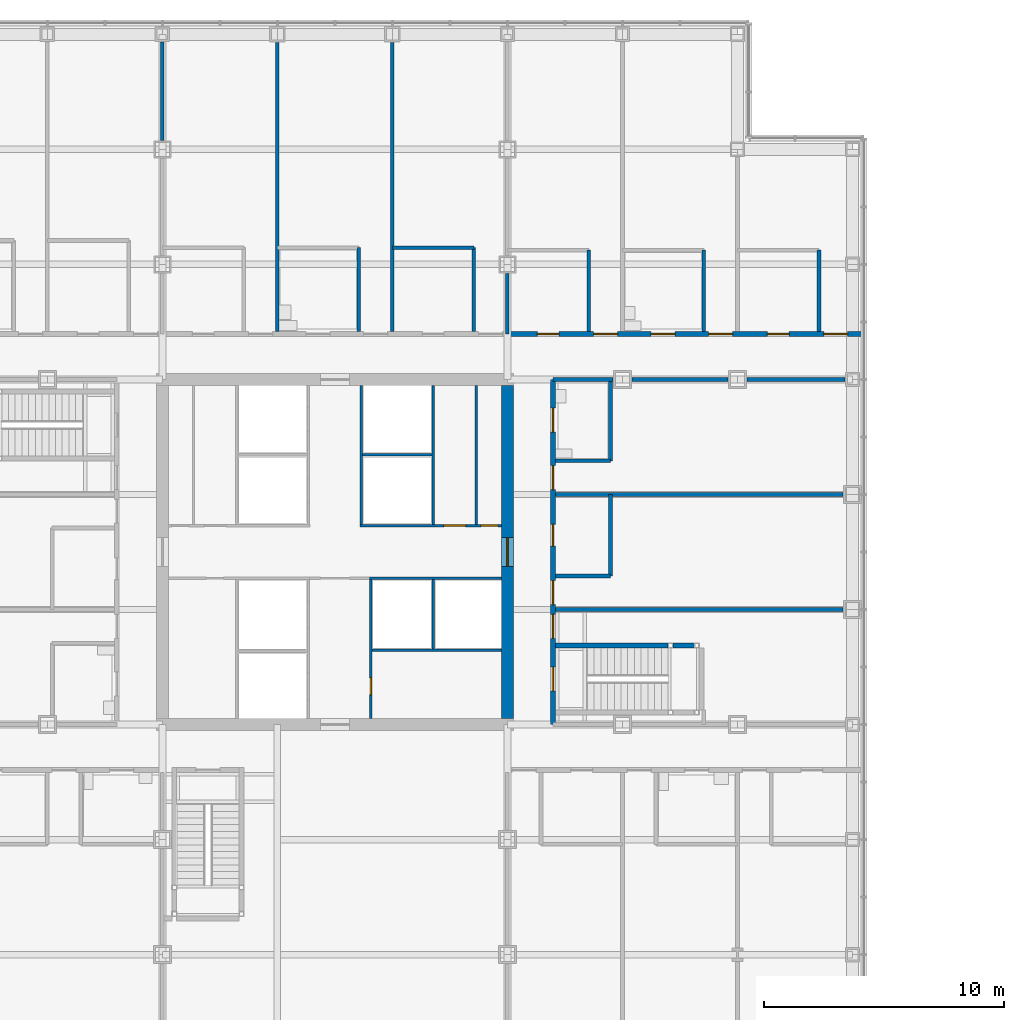
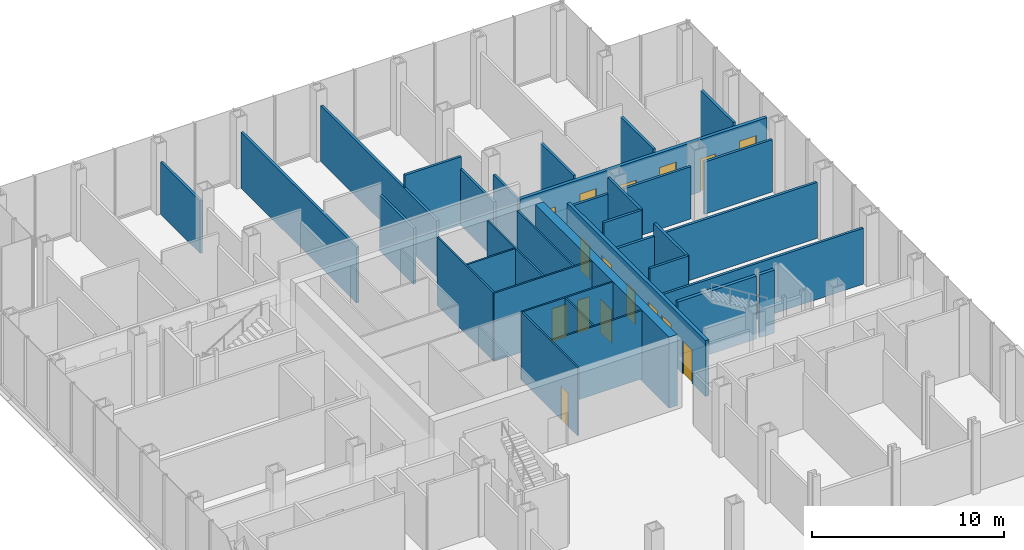
# One storey, part 23 of 26: 33 walls, 16 doors, 16 openings.
"""IFC4 building model written with IfcOpenShell, lengths in metres."""

from ifc_helpers import new_model, si_unit, direction, frame, frame_2d, origin, place, context, subcontext, project, spatial, rectangle, extrude, material, layer, layer_set, type_object, element, fill, save


model = new_model("IFC4")

# Units and contexts
model_context = context("Model", 3, precision=1e-05, world=origin(), true_north=direction((0.0, 1.0)))
body_context = subcontext(model_context, "Body", "Model", "MODEL_VIEW")
ifc_project = project(units=[si_unit("LENGTHUNIT", "METRE"), si_unit("AREAUNIT", "SQUARE_METRE"), si_unit("VOLUMEUNIT", "CUBIC_METRE"), si_unit("PLANEANGLEUNIT", "RADIAN"), si_unit("MASSUNIT", "GRAM", prefix="KILO")], contexts=[model_context])

# Site, building, storey
site_placement = place(None, origin())
site = spatial("IfcSite", under=ifc_project, at=site_placement, CompositionType="ELEMENT")
building_placement = place(site_placement, origin())
building = spatial("IfcBuilding", under=site, at=building_placement, Name="Kvirike Care Tower", CompositionType="ELEMENT")
storey_placement = place(building_placement, frame((0.0, 0.0, 18.0)))
storey = spatial("IfcBuildingStorey", under=building, at=storey_placement, Name="L04", CompositionType="ELEMENT", Elevation=18.0)

# Walls
ifc_material_1 = material(Name="Plasterboard partition", Category="gypsum")
ifc_layer_1 = layer(ifc_material_1, 0.14990234375)
ifc_layer_set_1 = layer_set([ifc_layer_1], Name="CLINIC PARTITION 150")
wall_type_1 = type_object("IfcWallType", Name="CLINIC PARTITION 150", PredefinedType="PARTITIONING", material=ifc_layer_set_1)
wall_1_placement = place(storey_placement, frame((27.39990234375, 48.699951171875, 0.0), z_axis=(0.0, 0.0, 1.0), x_axis=(0.0, -1.0, 0.0)))
element("IfcWall", 1, at=wall_1_placement, inside=storey, type_object=wall_type_1, Name="Clinic Partition 150 L04", PredefinedType="PARTITIONING", context=body_context, shape_type="SweptSolid", body=[
    extrude(rectangle(XDim=3.5, YDim=0.14990234375, at=frame_2d((1.75, 0.0))), origin(), (0.0, 0.0, 1.0), 3.550048828125),
])
wall_2_placement = place(storey_placement, frame((27.39990234375, 48.699951171875, 0.0), z_axis=(0.0, 0.0, 1.0), x_axis=(-1.0, 0.0, 0.0)))
element("IfcWall", 2, at=wall_2_placement, inside=storey, type_object=wall_type_1, Name="Clinic Partition 150 L04", PredefinedType="PARTITIONING", context=body_context, shape_type="SweptSolid", body=[
    extrude(rectangle(XDim=3.39990234375, YDim=0.14990234375, at=frame_2d((1.699951171875, 0.0))), origin(), (0.0, 0.0, 1.0), 4.330078125),
])
wall_3_placement = place(storey_placement, frame((22.60009765625, 48.699951171875, 0.0), z_axis=(0.0, 0.0, 1.0), x_axis=(0.0, -1.0, 0.0)))
element("IfcWall", 3, at=wall_3_placement, inside=storey, type_object=wall_type_1, Name="Clinic Partition 150 L04", PredefinedType="PARTITIONING", context=body_context, shape_type="SweptSolid", body=[
    extrude(rectangle(XDim=3.5, YDim=0.14990234375, at=frame_2d((1.75, 0.0))), origin(), (0.0, 0.0, 1.0), 3.550048828125),
])
for number, where, z_axis, x_axis, name in (
    (4, (24.0, 57.2548828125, 0.0), (0.0, 0.0, 1.0), (0.0, -1.0, 0.0), "Clinic Partition 150 L04"),
    (5, (19.199951171875, 57.2548828125, 0.0), (0.0, 0.0, 1.0), (0.0, -1.0, 0.0), "Clinic Partition 150 L04"),
):
    element("IfcWall", number, at=place(storey_placement, frame(where, z_axis=z_axis, x_axis=x_axis)), inside=storey, type_object=wall_type_1, Name=name, PredefinedType="PARTITIONING", context=body_context, shape_type="SweptSolid", body=[
        extrude(rectangle(XDim=12.054931640625, YDim=0.14990234375, at=frame_2d((6.02734375, 0.0))), origin(), (0.0, 0.0, 1.0), 3.550048828125),
    ])
wall_4_placement = place(storey_placement, frame((33.10009765625, 35.0, 0.0), z_axis=(0.0, 0.0, 1.0), x_axis=(-1.0, 0.0, 0.0)))
element("IfcWall", 6, at=wall_4_placement, inside=storey, type_object=wall_type_1, Name="Clinic Partition 150 L04", PredefinedType="PARTITIONING", context=body_context, shape_type="SweptSolid", body=[
    extrude(rectangle(XDim=2.300048828125, YDim=0.14990234375, at=frame_2d((1.14990234375, 0.0))), origin(), (0.0, 0.0, 1.0), 4.330078125),
])
wall_5_placement = place(storey_placement, frame((33.10009765625, 35.0, 0.0), z_axis=(0.0, 0.0, 1.0), x_axis=(0.0, 1.0, 0.0)))
element("IfcWall", 7, at=wall_5_placement, inside=storey, type_object=wall_type_1, Name="Clinic Partition 150 L04", PredefinedType="PARTITIONING", context=body_context, shape_type="SweptSolid", body=[
    extrude(rectangle(XDim=3.39990234375, YDim=0.14990234375, at=frame_2d((1.699951171875, 0.0))), origin(), (0.0, 0.0, 1.0), 4.330078125),
])
wall_6_placement = place(storey_placement, frame((33.10009765625, 39.800048828125, 0.0), z_axis=(0.0, 0.0, 1.0), x_axis=(-1.0, 0.0, 0.0)))
element("IfcWall", 8, at=wall_6_placement, inside=storey, type_object=wall_type_1, Name="Clinic Partition 150 L04", PredefinedType="PARTITIONING", context=body_context, shape_type="SweptSolid", body=[
    extrude(rectangle(XDim=2.300048828125, YDim=0.14990234375, at=frame_2d((1.14990234375, 0.0))), origin(), (0.0, 0.0, 1.0), 4.330078125),
])
wall_7_placement = place(storey_placement, frame((33.10009765625, 39.800048828125, 0.0), z_axis=(0.0, 0.0, 1.0), x_axis=(0.0, 1.0, 0.0)))
element("IfcWall", 9, at=wall_7_placement, inside=storey, type_object=wall_type_1, Name="Clinic Partition 150 L04", PredefinedType="PARTITIONING", context=body_context, shape_type="SweptSolid", body=[
    extrude(rectangle(XDim=3.39990234375, YDim=0.14990234375, at=frame_2d((1.699951171875, 0.0))), origin(), (0.0, 0.0, 1.0), 4.330078125),
])
for number, where, z_axis, x_axis, name in (
    (10, (42.804931640625, 33.60009765625, 0.0), (0.0, 0.0, 1.0), (-1.0, 0.0, 0.0), "Clinic Partition 150 L04"),
    (11, (42.804931640625, 38.39990234375, 0.0), (0.0, 0.0, 1.0), (-1.0, 0.0, 0.0), "Clinic Partition 150 L04"),
):
    element("IfcWall", number, at=place(storey_placement, frame(where, z_axis=z_axis, x_axis=x_axis)), inside=storey, type_object=wall_type_1, Name=name, PredefinedType="PARTITIONING", context=body_context, shape_type="SweptSolid", body=[
        extrude(rectangle(XDim=12.0048828125, YDim=0.14990234375, at=frame_2d((6.00244140625, 0.0))), origin(), (0.0, 0.0, 1.0), 3.550048828125),
    ])
for number, where, z_axis, x_axis, name in (
    (12, (41.800048828125, 48.60009765625, 0.0), (0.0, 0.0, 1.0), (0.0, -1.0, 0.0), "Clinic Partition 150 L04"),
    (13, (37.0, 48.60009765625, 0.0), (0.0, 0.0, 1.0), (0.0, -1.0, 0.0), "Clinic Partition 150 L04"),
    (14, (32.199951171875, 48.60009765625, 0.0), (0.0, 0.0, 1.0), (0.0, -1.0, 0.0), "Clinic Partition 150 L04"),
):
    element("IfcWall", number, at=place(storey_placement, frame(where, z_axis=z_axis, x_axis=x_axis)), inside=storey, type_object=wall_type_1, Name=name, PredefinedType="PARTITIONING", context=body_context, shape_type="SweptSolid", body=[
        extrude(rectangle(XDim=3.400146484375, YDim=0.14990234375, at=frame_2d((1.7001953125, 0.0))), origin(), (0.0, 0.0, 1.0), 3.550048828125),
    ])
wall_8_placement = place(storey_placement, frame((14.39990234375, 53.169921875, 0.0), z_axis=(0.0, 0.0, 1.0), x_axis=(0.0, 1.0, 0.0)))
element("IfcWall", 15, at=wall_8_placement, inside=storey, type_object=wall_type_1, Name="Clinic Partition 150 L04", PredefinedType="PARTITIONING", context=body_context, shape_type="SweptSolid", body=[
    extrude(rectangle(XDim=4.110107421875, YDim=0.14990234375, at=frame_2d((2.05517578125, 0.0))), origin(), (0.0, 0.0, 1.0), 3.320068359375),
])
wall_9_placement = place(storey_placement, frame((28.800048828125, 45.10009765625, 0.0), z_axis=(0.0, 0.0, 1.0), x_axis=(0.0, 1.0, 0.0)))
element("IfcWall", 16, at=wall_9_placement, inside=storey, type_object=wall_type_1, Name="Clinic Partition 150 L04", PredefinedType="PARTITIONING", context=body_context, shape_type="SweptSolid", body=[
    extrude(rectangle(XDim=2.52978515625, YDim=0.14990234375, at=frame_2d((1.264892578125, 0.0))), origin(), (0.0, 0.0, 1.0), 3.320068359375),
])
wall_10_placement = place(storey_placement, frame((42.8798828125, 43.199951171875, 0.0), z_axis=(0.0, 0.0, 1.0), x_axis=(-1.0, 0.0, 0.0)))
element("IfcWall", 17, at=wall_10_placement, inside=storey, type_object=wall_type_1, Name="Clinic Partition 150 L04", PredefinedType="PARTITIONING", context=body_context, shape_type="SweptSolid", body=[
    extrude(rectangle(XDim=4.0849609375, YDim=0.14990234375, at=frame_2d((2.04248046875, 0.0))), origin(), (0.0, 0.0, 1.0), 3.320068359375),
])
wall_11_placement = place(storey_placement, frame((38.0048828125, 43.199951171875, 0.0), z_axis=(0.0, 0.0, 1.0), x_axis=(-1.0, 0.0, 0.0)))
element("IfcWall", 18, at=wall_11_placement, inside=storey, type_object=wall_type_1, Name="Clinic Partition 150 L04", PredefinedType="PARTITIONING", context=body_context, shape_type="SweptSolid", body=[
    extrude(rectangle(XDim=4.009765625, YDim=0.14990234375, at=frame_2d((2.0048828125, 0.0))), origin(), (0.0, 0.0, 1.0), 3.320068359375),
])
wall_12_placement = place(storey_placement, frame((33.205078125, 43.199951171875, 0.0), z_axis=(0.0, 0.0, 1.0), x_axis=(-1.0, 0.0, 0.0)))
element("IfcWall", 19, at=wall_12_placement, inside=storey, type_object=wall_type_1, Name="Clinic Partition 150 L04", PredefinedType="PARTITIONING", context=body_context, shape_type="SweptSolid", body=[
    extrude(rectangle(XDim=2.505126953125, YDim=0.14990234375, at=frame_2d((1.25244140625, 0.0))), origin(), (0.0, 0.0, 1.0), 3.320068359375),
])

# Wall, opening, door
ifc_material_2 = material(Name="Concrete C60/75", Category="concrete")
ifc_layer_2 = layer(ifc_material_2, 0.5)
ifc_layer_set_2 = layer_set([ifc_layer_2], Name="CORE WALL 500 C60-75")
wall_type_2 = type_object("IfcWallType", Name="CORE WALL 500 C60-75", PredefinedType="SHEAR", material=ifc_layer_set_2)
wall_13_placement = place(storey_placement, frame((28.800048828125, 29.050048828125, -0.169921875), z_axis=(0.0, 0.0, 1.0), x_axis=(0.0, 1.0, 0.0)))
wall_13 = element("IfcWall", 20, at=wall_13_placement, inside=storey, type_object=wall_type_2, Name="Core wall E L04", PredefinedType="SHEAR", context=body_context, shape_type="SweptSolid", body=[
    extrude(rectangle(XDim=13.89990234375, YDim=0.5, at=frame_2d((6.949951171875, 0.0))), origin(), (0.0, 0.0, 1.0), 4.5),
])
opening_1_placement = place(wall_13_placement, frame((6.35009765625, 0.0, 0.169921875)))
opening_1 = element("IfcOpeningElement", 21, at=opening_1_placement, cuts=wall_13, Name="Opening 04-060", PredefinedType="OPENING", context=body_context, shape_type="SweptSolid", body=[
    extrude(rectangle(XDim=1.199951171875, YDim=2.10009765625, at=frame_2d((0.60009765625, 1.050048828125))), frame((0.0, 0.260498046875, 0.0), z_axis=(0.0, -1.0, 0.0), x_axis=(1.0, 0.0, 0.0)), (0.0, 0.0, 1.0), 0.52099609375),
])
ifc_material_3 = material(Name="Timber door set", Category="wood")
door_type_1 = type_object("IfcDoorType", Name="CORE DOOR 1200", OperationType="SINGLE_SWING_LEFT", PredefinedType="DOOR", material=ifc_material_3)
door_1_placement = place(opening_1_placement, origin())
door_1 = element("IfcDoor", 22, at=door_1_placement, inside=storey, type_object=door_type_1, Name="Core door E L04", OperationType="SINGLE_SWING_LEFT", OverallHeight=2.10009765625, OverallWidth=1.199951171875, PredefinedType="DOOR", context=body_context, shape_type="SweptSolid", body=[
    extrude(rectangle(XDim=1.199951171875, YDim=2.10009765625, at=frame_2d((0.60009765625, 1.050048828125))), frame((0.0, 0.02685546875, 0.0), z_axis=(0.0, -1.0, 0.0), x_axis=(1.0, 0.0, 0.0)), (0.0, 0.0, 1.0), 0.053955078125),
])
fill(opening_1, door_1)

# Wall, openings, doors
ifc_material_4 = material(Name="Plasterboard corridor wall", Category="gypsum")
ifc_layer_3 = layer(ifc_material_4, 0.199951171875)
ifc_layer_set_3 = layer_set([ifc_layer_3], Name="CORRIDOR WALL 200")
wall_type_3 = type_object("IfcWallType", Name="CORRIDOR WALL 200", PredefinedType="PARTITIONING", material=ifc_layer_set_3)
wall_14_placement = place(storey_placement, frame((30.699951171875, 28.800048828125, 0.0), z_axis=(0.0, 0.0, 1.0), x_axis=(0.0, 1.0, 0.0)))
wall_14 = element("IfcWall", 23, at=wall_14_placement, inside=storey, type_object=wall_type_3, Name="Corridor Wall 200 L04", PredefinedType="PARTITIONING", context=body_context, shape_type="SweptSolid", body=[
    extrude(rectangle(XDim=14.39990234375, YDim=0.199951171875, at=frame_2d((7.199951171875, 0.0))), origin(), (0.0, 0.0, 1.0), 3.550048828125),
])
opening_2_placement = place(wall_14_placement, frame((1.39990234375, 0.0, 0.0)))
opening_2 = element("IfcOpeningElement", 24, at=opening_2_placement, cuts=wall_14, Name="Opening 04-031", PredefinedType="OPENING", context=body_context, shape_type="SweptSolid", body=[
    extrude(rectangle(XDim=1.0, YDim=2.10009765625, at=frame_2d((0.5, 1.050048828125))), frame((0.0, 0.110595703125, 0.0), z_axis=(0.0, -1.0, 0.0), x_axis=(1.0, 0.0, 0.0)), (0.0, 0.0, 1.0), 0.220947265625),
])
opening_3_placement = place(wall_14_placement, frame((3.60009765625, 0.0, 0.0)))
opening_3 = element("IfcOpeningElement", 25, at=opening_3_placement, cuts=wall_14, Name="Opening 04-032", PredefinedType="OPENING", context=body_context, shape_type="SweptSolid", body=[
    extrude(rectangle(XDim=1.0, YDim=2.39990234375, at=frame_2d((0.5, 1.199951171875))), frame((0.0, 0.110595703125, 0.0), z_axis=(0.0, -1.0, 0.0), x_axis=(1.0, 0.0, 0.0)), (0.0, 0.0, 1.0), 0.220947265625),
])
opening_4_placement = place(wall_14_placement, frame((5.0, 0.0, 0.0)))
opening_4 = element("IfcOpeningElement", 26, at=opening_4_placement, cuts=wall_14, Name="Opening 04-033", PredefinedType="OPENING", context=body_context, shape_type="SweptSolid", body=[
    extrude(rectangle(XDim=1.0, YDim=2.39990234375, at=frame_2d((0.5, 1.199951171875))), frame((0.0, 0.110595703125, 0.0), z_axis=(0.0, -1.0, 0.0), x_axis=(1.0, 0.0, 0.0)), (0.0, 0.0, 1.0), 0.220947265625),
])
opening_5_placement = place(wall_14_placement, frame((9.800048828125, 0.0, 0.0)))
opening_5 = element("IfcOpeningElement", 27, at=opening_5_placement, cuts=wall_14, Name="Opening 04-034", PredefinedType="OPENING", context=body_context, shape_type="SweptSolid", body=[
    extrude(rectangle(XDim=1.0, YDim=2.39990234375, at=frame_2d((0.5, 1.199951171875))), frame((0.0, 0.110595703125, 0.0), z_axis=(0.0, -1.0, 0.0), x_axis=(1.0, 0.0, 0.0)), (0.0, 0.0, 1.0), 0.220947265625),
])
opening_6_placement = place(wall_14_placement, frame((7.449951171875, 0.0, 0.0)))
opening_6 = element("IfcOpeningElement", 28, at=opening_6_placement, cuts=wall_14, Name="Opening 04-035", PredefinedType="OPENING", context=body_context, shape_type="SweptSolid", body=[
    extrude(rectangle(XDim=0.89990234375, YDim=2.10009765625, at=frame_2d((0.449951171875, 1.050048828125))), frame((0.0, 0.110595703125, 0.0), z_axis=(0.0, -1.0, 0.0), x_axis=(1.0, 0.0, 0.0)), (0.0, 0.0, 1.0), 0.220947265625),
])
opening_7_placement = place(wall_14_placement, frame((12.199951171875, 0.0, 0.0)))
opening_7 = element("IfcOpeningElement", 29, at=opening_7_placement, cuts=wall_14, Name="Opening 04-036", PredefinedType="OPENING", context=body_context, shape_type="SweptSolid", body=[
    extrude(rectangle(XDim=1.0, YDim=2.10009765625, at=frame_2d((0.5, 1.050048828125))), frame((0.0, 0.110595703125, 0.0), z_axis=(0.0, -1.0, 0.0), x_axis=(1.0, 0.0, 0.0)), (0.0, 0.0, 1.0), 0.220947265625),
])
ifc_material_5 = material(Name="Timber door set", Category="wood")
door_type_2 = type_object("IfcDoorType", Name="CONSULTING ROOM DOOR 1000", OperationType="SINGLE_SWING_LEFT", PredefinedType="DOOR", material=ifc_material_5)
door_2_placement = place(opening_3_placement, frame((1.0, 0.0, 0.0), z_axis=(0.0, 0.0, 1.0), x_axis=(-1.0, 0.0, 0.0)))
door_2 = element("IfcDoor", 30, at=door_2_placement, inside=storey, type_object=door_type_2, Name="Family room door", OperationType="SINGLE_SWING_LEFT", OverallHeight=2.39990234375, OverallWidth=1.0, PredefinedType="DOOR", context=body_context, shape_type="SweptSolid", body=[
    extrude(rectangle(XDim=1.0, YDim=2.39990234375, at=frame_2d((0.5, 1.199951171875))), frame((0.0, 0.02685546875, 0.0), z_axis=(0.0, -1.0, 0.0), x_axis=(1.0, 0.0, 0.0)), (0.0, 0.0, 1.0), 0.053955078125),
])
fill(opening_3, door_2)
door_3_placement = place(opening_4_placement, frame((1.0, 0.0, 0.0), z_axis=(0.0, 0.0, 1.0), x_axis=(-1.0, 0.0, 0.0)))
door_3 = element("IfcDoor", 31, at=door_3_placement, inside=storey, type_object=door_type_2, Name="Family room door", OperationType="SINGLE_SWING_LEFT", OverallHeight=2.39990234375, OverallWidth=1.0, PredefinedType="DOOR", context=body_context, shape_type="SweptSolid", body=[
    extrude(rectangle(XDim=1.0, YDim=2.39990234375, at=frame_2d((0.5, 1.199951171875))), frame((0.0, 0.02685546875, 0.0), z_axis=(0.0, -1.0, 0.0), x_axis=(1.0, 0.0, 0.0)), (0.0, 0.0, 1.0), 0.053955078125),
])
fill(opening_4, door_3)
door_4_placement = place(opening_5_placement, frame((1.0, 0.0, 0.0), z_axis=(0.0, 0.0, 1.0), x_axis=(-1.0, 0.0, 0.0)))
door_4 = element("IfcDoor", 32, at=door_4_placement, inside=storey, type_object=door_type_2, Name="Meeting room door", OperationType="SINGLE_SWING_LEFT", OverallHeight=2.39990234375, OverallWidth=1.0, PredefinedType="DOOR", context=body_context, shape_type="SweptSolid", body=[
    extrude(rectangle(XDim=1.0, YDim=2.39990234375, at=frame_2d((0.5, 1.199951171875))), frame((0.0, 0.02685546875, 0.0), z_axis=(0.0, -1.0, 0.0), x_axis=(1.0, 0.0, 0.0)), (0.0, 0.0, 1.0), 0.053955078125),
])
fill(opening_5, door_4)
ifc_material_6 = material(Name="Timber door set", Category="wood")
door_type_3 = type_object("IfcDoorType", Name="STAIR DOOR 1000", OperationType="SINGLE_SWING_LEFT", PredefinedType="DOOR", material=ifc_material_6)
door_5_placement = place(opening_2_placement, frame((1.0, 0.0, 0.0), z_axis=(0.0, 0.0, 1.0), x_axis=(-1.0, 0.0, 0.0)))
door_5 = element("IfcDoor", 33, at=door_5_placement, inside=storey, type_object=door_type_3, Name="Stair 2 door", OperationType="SINGLE_SWING_LEFT", OverallHeight=2.10009765625, OverallWidth=1.0, PredefinedType="DOOR", context=body_context, shape_type="SweptSolid", body=[
    extrude(rectangle(XDim=1.0, YDim=2.10009765625, at=frame_2d((0.5, 1.050048828125))), frame((0.0, 0.031982421875, 0.0), z_axis=(0.0, -1.0, 0.0), x_axis=(1.0, 0.0, 0.0)), (0.0, 0.0, 1.0), 0.06396484375),
])
fill(opening_2, door_5)
ifc_material_7 = material(Name="Timber door set", Category="wood")
door_type_4 = type_object("IfcDoorType", Name="STORE DOOR 900", OperationType="SINGLE_SWING_LEFT", PredefinedType="DOOR", material=ifc_material_7)
door_6_placement = place(opening_6_placement, frame((0.89990234375, 0.0, 0.0), z_axis=(0.0, 0.0, 1.0), x_axis=(-1.0, 0.0, 0.0)))
door_6 = element("IfcDoor", 34, at=door_6_placement, inside=storey, type_object=door_type_4, Name="Store door", OperationType="SINGLE_SWING_RIGHT", OverallHeight=2.10009765625, OverallWidth=0.89990234375, PredefinedType="DOOR", context=body_context, shape_type="SweptSolid", body=[
    extrude(rectangle(XDim=0.89990234375, YDim=2.10009765625, at=frame_2d((0.449951171875, 1.050048828125))), frame((0.0, 0.02685546875, 0.0), z_axis=(0.0, -1.0, 0.0), x_axis=(1.0, 0.0, 0.0)), (0.0, 0.0, 1.0), 0.053955078125),
])
fill(opening_6, door_6)
ifc_material_8 = material(Name="Timber door set", Category="wood")
door_type_5 = type_object("IfcDoorType", Name="WC DOOR 1000", OperationType="SINGLE_SWING_LEFT", PredefinedType="DOOR", material=ifc_material_8)
door_7_placement = place(opening_7_placement, frame((1.0, 0.0, 0.0), z_axis=(0.0, 0.0, 1.0), x_axis=(-1.0, 0.0, 0.0)))
door_7 = element("IfcDoor", 35, at=door_7_placement, inside=storey, type_object=door_type_5, Name="Staff WC door", OperationType="SINGLE_SWING_RIGHT", OverallHeight=2.10009765625, OverallWidth=1.0, PredefinedType="DOOR", context=body_context, shape_type="SweptSolid", body=[
    extrude(rectangle(XDim=1.0, YDim=2.10009765625, at=frame_2d((0.5, 1.050048828125))), frame((0.0, 0.02685546875, 0.0), z_axis=(0.0, -1.0, 0.0), x_axis=(1.0, 0.0, 0.0)), (0.0, 0.0, 1.0), 0.053955078125),
])
fill(opening_7, door_7)

wall_15_placement = place(storey_placement, frame((43.655029296875, 45.10009765625, 0.0), z_axis=(0.0, 0.0, 1.0), x_axis=(-1.0, 0.0, 0.0)))
wall_15 = element("IfcWall", 36, at=wall_15_placement, inside=storey, type_object=wall_type_3, Name="Corridor Wall 200 L04", PredefinedType="PARTITIONING", context=body_context, shape_type="SweptSolid", body=[
    extrude(rectangle(XDim=14.85498046875, YDim=0.199951171875, at=frame_2d((7.427490234375, 0.0))), origin(), (0.0, 0.0, 1.0), 3.320068359375),
])
opening_8_placement = place(wall_15_placement, frame((0.655029296875, 0.0, 0.0)))
opening_8 = element("IfcOpeningElement", 37, at=opening_8_placement, cuts=wall_15, Name="Opening 04-037", PredefinedType="OPENING", context=body_context, shape_type="SweptSolid", body=[
    extrude(rectangle(XDim=1.0, YDim=2.39990234375, at=frame_2d((0.5, 1.199951171875))), frame((0.0, 0.110595703125, 0.0), z_axis=(0.0, -1.0, 0.0), x_axis=(1.0, 0.0, 0.0)), (0.0, 0.0, 1.0), 0.220947265625),
])
opening_9_placement = place(wall_15_placement, frame((5.455078125, 0.0, 0.0)))
opening_9 = element("IfcOpeningElement", 38, at=opening_9_placement, cuts=wall_15, Name="Opening 04-038", PredefinedType="OPENING", context=body_context, shape_type="SweptSolid", body=[
    extrude(rectangle(XDim=1.0, YDim=2.39990234375, at=frame_2d((0.5, 1.199951171875))), frame((0.0, 0.110595703125, 0.0), z_axis=(0.0, -1.0, 0.0), x_axis=(1.0, 0.0, 0.0)), (0.0, 0.0, 1.0), 0.220947265625),
])
opening_10_placement = place(wall_15_placement, frame((10.2548828125, 0.0, 0.0)))
opening_10 = element("IfcOpeningElement", 39, at=opening_10_placement, cuts=wall_15, Name="Opening 04-039", PredefinedType="OPENING", context=body_context, shape_type="SweptSolid", body=[
    extrude(rectangle(XDim=1.0, YDim=2.39990234375, at=frame_2d((0.5, 1.199951171875))), frame((0.0, 0.110595703125, 0.0), z_axis=(0.0, -1.0, 0.0), x_axis=(1.0, 0.0, 0.0)), (0.0, 0.0, 1.0), 0.220947265625),
])
opening_11_placement = place(wall_15_placement, frame((3.10498046875, 0.0, 0.0)))
opening_11 = element("IfcOpeningElement", 40, at=opening_11_placement, cuts=wall_15, Name="Opening 04-040", PredefinedType="OPENING", context=body_context, shape_type="SweptSolid", body=[
    extrude(rectangle(XDim=0.89990234375, YDim=2.10009765625, at=frame_2d((0.449951171875, 1.050048828125))), frame((0.0, 0.110595703125, 0.0), z_axis=(0.0, -1.0, 0.0), x_axis=(1.0, 0.0, 0.0)), (0.0, 0.0, 1.0), 0.220947265625),
])
opening_12_placement = place(wall_15_placement, frame((7.85498046875, 0.0, 0.0)))
opening_12 = element("IfcOpeningElement", 41, at=opening_12_placement, cuts=wall_15, Name="Opening 04-041", PredefinedType="OPENING", context=body_context, shape_type="SweptSolid", body=[
    extrude(rectangle(XDim=1.0, YDim=2.10009765625, at=frame_2d((0.5, 1.050048828125))), frame((0.0, 0.110595703125, 0.0), z_axis=(0.0, -1.0, 0.0), x_axis=(1.0, 0.0, 0.0)), (0.0, 0.0, 1.0), 0.220947265625),
])
opening_13_placement = place(wall_15_placement, frame((12.705078125, 0.0, 0.0)))
opening_13 = element("IfcOpeningElement", 42, at=opening_13_placement, cuts=wall_15, Name="Opening 04-042", PredefinedType="OPENING", context=body_context, shape_type="SweptSolid", body=[
    extrude(rectangle(XDim=0.89990234375, YDim=2.10009765625, at=frame_2d((0.449951171875, 1.050048828125))), frame((0.0, 0.110595703125, 0.0), z_axis=(0.0, -1.0, 0.0), x_axis=(1.0, 0.0, 0.0)), (0.0, 0.0, 1.0), 0.220947265625),
])
door_8_placement = place(opening_8_placement, frame((1.0, 0.0, 0.0), z_axis=(0.0, 0.0, 1.0), x_axis=(-1.0, 0.0, 0.0)))
door_8 = element("IfcDoor", 43, at=door_8_placement, inside=storey, type_object=door_type_2, Name="Care coordination office door", OperationType="SINGLE_SWING_RIGHT", OverallHeight=2.39990234375, OverallWidth=1.0, PredefinedType="DOOR", context=body_context, shape_type="SweptSolid", body=[
    extrude(rectangle(XDim=1.0, YDim=2.39990234375, at=frame_2d((0.5, 1.199951171875))), frame((0.0, 0.02685546875, 0.0), z_axis=(0.0, -1.0, 0.0), x_axis=(1.0, 0.0, 0.0)), (0.0, 0.0, 1.0), 0.053955078125),
])
fill(opening_8, door_8)
door_9_placement = place(opening_9_placement, frame((1.0, 0.0, 0.0), z_axis=(0.0, 0.0, 1.0), x_axis=(-1.0, 0.0, 0.0)))
door_9 = element("IfcDoor", 44, at=door_9_placement, inside=storey, type_object=door_type_2, Name="Care coordination office door", OperationType="SINGLE_SWING_LEFT", OverallHeight=2.39990234375, OverallWidth=1.0, PredefinedType="DOOR", context=body_context, shape_type="SweptSolid", body=[
    extrude(rectangle(XDim=1.0, YDim=2.39990234375, at=frame_2d((0.5, 1.199951171875))), frame((0.0, 0.02685546875, 0.0), z_axis=(0.0, -1.0, 0.0), x_axis=(1.0, 0.0, 0.0)), (0.0, 0.0, 1.0), 0.053955078125),
])
fill(opening_9, door_9)
door_10_placement = place(opening_10_placement, frame((1.0, 0.0, 0.0), z_axis=(0.0, 0.0, 1.0), x_axis=(-1.0, 0.0, 0.0)))
door_10 = element("IfcDoor", 45, at=door_10_placement, inside=storey, type_object=door_type_2, Name="Records room door", OperationType="SINGLE_SWING_LEFT", OverallHeight=2.39990234375, OverallWidth=1.0, PredefinedType="DOOR", context=body_context, shape_type="SweptSolid", body=[
    extrude(rectangle(XDim=1.0, YDim=2.39990234375, at=frame_2d((0.5, 1.199951171875))), frame((0.0, 0.02685546875, 0.0), z_axis=(0.0, -1.0, 0.0), x_axis=(1.0, 0.0, 0.0)), (0.0, 0.0, 1.0), 0.053955078125),
])
fill(opening_10, door_10)
door_11_placement = place(opening_11_placement, frame((0.89990234375, 0.0, 0.0), z_axis=(0.0, 0.0, 1.0), x_axis=(-1.0, 0.0, 0.0)))
door_11 = element("IfcDoor", 46, at=door_11_placement, inside=storey, type_object=door_type_4, Name="Store door", OperationType="SINGLE_SWING_LEFT", OverallHeight=2.10009765625, OverallWidth=0.89990234375, PredefinedType="DOOR", context=body_context, shape_type="SweptSolid", body=[
    extrude(rectangle(XDim=0.89990234375, YDim=2.10009765625, at=frame_2d((0.449951171875, 1.050048828125))), frame((0.0, 0.02685546875, 0.0), z_axis=(0.0, -1.0, 0.0), x_axis=(1.0, 0.0, 0.0)), (0.0, 0.0, 1.0), 0.053955078125),
])
fill(opening_11, door_11)
door_12_placement = place(opening_13_placement, frame((0.89990234375, 0.0, 0.0), z_axis=(0.0, 0.0, 1.0), x_axis=(-1.0, 0.0, 0.0)))
door_12 = element("IfcDoor", 47, at=door_12_placement, inside=storey, type_object=door_type_4, Name="Store door", OperationType="SINGLE_SWING_RIGHT", OverallHeight=2.10009765625, OverallWidth=0.89990234375, PredefinedType="DOOR", context=body_context, shape_type="SweptSolid", body=[
    extrude(rectangle(XDim=0.89990234375, YDim=2.10009765625, at=frame_2d((0.449951171875, 1.050048828125))), frame((0.0, 0.02685546875, 0.0), z_axis=(0.0, -1.0, 0.0), x_axis=(1.0, 0.0, 0.0)), (0.0, 0.0, 1.0), 0.053955078125),
])
fill(opening_13, door_12)
door_13_placement = place(opening_12_placement, frame((1.0, 0.0, 0.0), z_axis=(0.0, 0.0, 1.0), x_axis=(-1.0, 0.0, 0.0)))
door_13 = element("IfcDoor", 48, at=door_13_placement, inside=storey, type_object=door_type_5, Name="Staff WC door", OperationType="SINGLE_SWING_RIGHT", OverallHeight=2.10009765625, OverallWidth=1.0, PredefinedType="DOOR", context=body_context, shape_type="SweptSolid", body=[
    extrude(rectangle(XDim=1.0, YDim=2.10009765625, at=frame_2d((0.5, 1.050048828125))), frame((0.0, 0.02685546875, 0.0), z_axis=(0.0, -1.0, 0.0), x_axis=(1.0, 0.0, 0.0)), (0.0, 0.0, 1.0), 0.053955078125),
])
fill(opening_12, door_13)

# Walls
ifc_material_9 = material(Name="Gypsum shaft wall system", Category="gypsum")
ifc_layer_4 = layer(ifc_material_9, 0.10009765625)
ifc_layer_set_4 = layer_set([ifc_layer_4], Name="SHAFT WALL 100")
wall_type_4 = type_object("IfcWallType", Name="SHAFT WALL 100", PredefinedType="SOLIDWALL", material=ifc_layer_set_4)
for number, where, z_axis, x_axis, name in (
    (49, (27.5, 37.14990234375, 0.0), (0.0, 0.0, 1.0), (0.0, 1.0, 0.0), "Shaft Wall 100 L04"),
    (50, (22.699951171875, 37.14990234375, 0.0), (0.0, 0.0, 1.0), (0.0, 1.0, 0.0), "Shaft Wall 100 L04"),
):
    element("IfcWall", number, at=place(storey_placement, frame(where, z_axis=z_axis, x_axis=x_axis)), inside=storey, type_object=wall_type_4, Name=name, PredefinedType="SOLIDWALL", context=body_context, shape_type="SweptSolid", body=[
        extrude(rectangle(XDim=5.800048828125, YDim=0.10009765625, at=frame_2d((2.89990234375, 0.0))), origin(), (0.0, 0.0, 1.0), 4.330078125),
    ])

# Wall, opening, door
wall_16_placement = place(storey_placement, frame((23.10009765625, 29.050048828125, 0.0), z_axis=(0.0, 0.0, 1.0), x_axis=(0.0, 1.0, 0.0)))
wall_16 = element("IfcWall", 51, at=wall_16_placement, inside=storey, type_object=wall_type_4, Name="Shaft Wall 100 L04", PredefinedType="SOLIDWALL", context=body_context, shape_type="SweptSolid", body=[
    extrude(rectangle(XDim=5.800048828125, YDim=0.10009765625, at=frame_2d((2.89990234375, 0.0))), origin(), (0.0, 0.0, 1.0), 4.330078125),
])
opening_14_placement = place(wall_16_placement, frame((1.0, 0.0, 0.0)))
opening_14 = element("IfcOpeningElement", 52, at=opening_14_placement, cuts=wall_16, Name="Opening 04-051", PredefinedType="OPENING", context=body_context, shape_type="SweptSolid", body=[
    extrude(rectangle(XDim=0.699951171875, YDim=2.10009765625, at=frame_2d((0.35009765625, 1.050048828125))), frame((0.0, 0.060546875, 0.0), z_axis=(0.0, -1.0, 0.0), x_axis=(1.0, 0.0, 0.0)), (0.0, 0.0, 1.0), 0.12109375),
])
ifc_material_10 = material(Name="Timber door set", Category="wood")
door_type_6 = type_object("IfcDoorType", Name="RISER DOOR 700", OperationType="SINGLE_SWING_LEFT", PredefinedType="DOOR", material=ifc_material_10)
door_14_placement = place(opening_14_placement, origin())
door_14 = element("IfcDoor", 53, at=door_14_placement, inside=storey, type_object=door_type_6, Name="Riser door", OperationType="SINGLE_SWING_RIGHT", OverallHeight=2.10009765625, OverallWidth=0.699951171875, PredefinedType="DOOR", context=body_context, shape_type="SweptSolid", body=[
    extrude(rectangle(XDim=0.699951171875, YDim=2.10009765625, at=frame_2d((0.35009765625, 1.050048828125))), frame((0.0, 0.02685546875, 0.0), z_axis=(0.0, -1.0, 0.0), x_axis=(1.0, 0.0, 0.0)), (0.0, 0.0, 1.0), 0.053955078125),
])
fill(opening_14, door_14)

# Wall
wall_17_placement = place(storey_placement, frame((23.050048828125, 34.89990234375, 0.0), z_axis=(0.0, 0.0, 1.0), x_axis=(1.0, 0.0, 0.0)))
element("IfcWall", 54, at=wall_17_placement, inside=storey, type_object=wall_type_4, Name="Shaft Wall 100 L04", PredefinedType="SOLIDWALL", context=body_context, shape_type="SweptSolid", body=[
    extrude(rectangle(XDim=5.5, YDim=0.10009765625, at=frame_2d((2.75, 0.0))), origin(), (0.0, 0.0, 1.0), 4.330078125),
])

# Wall, openings, doors
wall_18_placement = place(storey_placement, frame((22.64990234375, 37.10009765625, 0.0), z_axis=(0.0, 0.0, 1.0), x_axis=(1.0, 0.0, 0.0)))
wall_18 = element("IfcWall", 55, at=wall_18_placement, inside=storey, type_object=wall_type_4, Name="Shaft Wall 100 L04", PredefinedType="SOLIDWALL", context=body_context, shape_type="SweptSolid", body=[
    extrude(rectangle(XDim=5.900146484375, YDim=0.10009765625, at=frame_2d((2.9501953125, 0.0))), origin(), (0.0, 0.0, 1.0), 4.330078125),
])
opening_15_placement = place(wall_18_placement, frame((3.5, 0.0, 0.0)))
opening_15 = element("IfcOpeningElement", 56, at=opening_15_placement, cuts=wall_18, Name="Opening 04-055", PredefinedType="OPENING", context=body_context, shape_type="SweptSolid", body=[
    extrude(rectangle(XDim=0.89990234375, YDim=2.10009765625, at=frame_2d((0.449951171875, 1.050048828125))), frame((0.0, 0.060546875, 0.0), z_axis=(0.0, -1.0, 0.0), x_axis=(1.0, 0.0, 0.0)), (0.0, 0.0, 1.0), 0.12109375),
])
opening_16_placement = place(wall_18_placement, frame((5.050048828125, 0.0, 0.0)))
opening_16 = element("IfcOpeningElement", 57, at=opening_16_placement, cuts=wall_18, Name="Opening 04-056", PredefinedType="OPENING", context=body_context, shape_type="SweptSolid", body=[
    extrude(rectangle(XDim=0.699951171875, YDim=2.10009765625, at=frame_2d((0.35009765625, 1.050048828125))), frame((0.0, 0.060546875, 0.0), z_axis=(0.0, -1.0, 0.0), x_axis=(1.0, 0.0, 0.0)), (0.0, 0.0, 1.0), 0.12109375),
])
door_15_placement = place(opening_16_placement, origin())
door_15 = element("IfcDoor", 58, at=door_15_placement, inside=storey, type_object=door_type_6, Name="Riser door", OperationType="SINGLE_SWING_LEFT", OverallHeight=2.10009765625, OverallWidth=0.699951171875, PredefinedType="DOOR", context=body_context, shape_type="SweptSolid", body=[
    extrude(rectangle(XDim=0.699951171875, YDim=2.10009765625, at=frame_2d((0.35009765625, 1.050048828125))), frame((0.0, 0.02685546875, 0.0), z_axis=(0.0, -1.0, 0.0), x_axis=(1.0, 0.0, 0.0)), (0.0, 0.0, 1.0), 0.053955078125),
])
fill(opening_16, door_15)
door_16_placement = place(opening_15_placement, origin())
door_16 = element("IfcDoor", 59, at=door_16_placement, inside=storey, type_object=door_type_4, Name="IT room door", OperationType="SINGLE_SWING_LEFT", OverallHeight=2.10009765625, OverallWidth=0.89990234375, PredefinedType="DOOR", context=body_context, shape_type="SweptSolid", body=[
    extrude(rectangle(XDim=0.89990234375, YDim=2.10009765625, at=frame_2d((0.449951171875, 1.050048828125))), frame((0.0, 0.02685546875, 0.0), z_axis=(0.0, -1.0, 0.0), x_axis=(1.0, 0.0, 0.0)), (0.0, 0.0, 1.0), 0.053955078125),
])
fill(opening_15, door_16)

# Walls
wall_19_placement = place(storey_placement, frame((22.75, 40.050048828125, 0.0), z_axis=(0.0, 0.0, 1.0), x_axis=(1.0, 0.0, 0.0)))
element("IfcWall", 60, at=wall_19_placement, inside=storey, type_object=wall_type_4, Name="Shaft Wall 100 L04", PredefinedType="SOLIDWALL", context=body_context, shape_type="SweptSolid", body=[
    extrude(rectangle(XDim=2.89990234375, YDim=0.10009765625, at=frame_2d((1.449951171875, 0.0))), origin(), (0.0, 0.0, 1.0), 4.330078125),
])
wall_20_placement = place(storey_placement, frame((25.699951171875, 37.14990234375, 0.0), z_axis=(0.0, 0.0, 1.0), x_axis=(0.0, 1.0, 0.0)))
element("IfcWall", 61, at=wall_20_placement, inside=storey, type_object=wall_type_4, Name="Shaft Wall 100 L04", PredefinedType="SOLIDWALL", context=body_context, shape_type="SweptSolid", body=[
    extrude(rectangle(XDim=5.800048828125, YDim=0.10009765625, at=frame_2d((2.89990234375, 0.0))), origin(), (0.0, 0.0, 1.0), 4.330078125),
])
wall_21_placement = place(storey_placement, frame((25.699951171875, 31.949951171875, 0.0), z_axis=(0.0, 0.0, 1.0), x_axis=(0.0, 1.0, 0.0)))
element("IfcWall", 62, at=wall_21_placement, inside=storey, type_object=wall_type_4, Name="Shaft Wall 100 L04", PredefinedType="SOLIDWALL", context=body_context, shape_type="SweptSolid", body=[
    extrude(rectangle(XDim=2.900146484375, YDim=0.10009765625, at=frame_2d((1.4501953125, 0.0))), origin(), (0.0, 0.0, 1.0), 4.330078125),
])
wall_22_placement = place(storey_placement, frame((23.14990234375, 31.89990234375, 0.0), z_axis=(0.0, 0.0, 1.0), x_axis=(1.0, 0.0, 0.0)))
element("IfcWall", 63, at=wall_22_placement, inside=storey, type_object=wall_type_4, Name="Shaft Wall 100 L04", PredefinedType="SOLIDWALL", context=body_context, shape_type="SweptSolid", body=[
    extrude(rectangle(XDim=5.400146484375, YDim=0.10009765625, at=frame_2d((2.7001953125, 0.0))), origin(), (0.0, 0.0, 1.0), 4.330078125),
])
ifc_material_11 = material(Name="Concrete C40/50", Category="concrete")
ifc_layer_5 = layer(ifc_material_11, 0.199951171875)
ifc_layer_set_5 = layer_set([ifc_layer_5], Name="STAIR WALL 200")
wall_type_5 = type_object("IfcWallType", Name="STAIR WALL 200", PredefinedType="SOLIDWALL", material=ifc_layer_set_5)
wall_23_placement = place(storey_placement, frame((36.60009765625, 32.10009765625, 0.0), z_axis=(0.0, 0.0, 1.0), x_axis=(-1.0, 0.0, 0.0)))
element("IfcWall", 64, at=wall_23_placement, inside=storey, type_object=wall_type_5, Name="Stair Wall 200 L04", PredefinedType="SOLIDWALL", context=body_context, shape_type="SweptSolid", body=[
    extrude(rectangle(XDim=0.900146484375, YDim=0.199951171875, at=frame_2d((0.4501953125, 0.0))), origin(), (0.0, 0.0, 1.0), 3.989990234375),
])
wall_24_placement = place(storey_placement, frame((35.5, 32.10009765625, 0.0), z_axis=(0.0, 0.0, 1.0), x_axis=(-1.0, 0.0, 0.0)))
element("IfcWall", 65, at=wall_24_placement, inside=storey, type_object=wall_type_5, Name="Stair Wall 200 L04", PredefinedType="SOLIDWALL", context=body_context, shape_type="SweptSolid", body=[
    extrude(rectangle(XDim=4.699951171875, YDim=0.199951171875, at=frame_2d((2.35009765625, 0.0))), origin(), (0.0, 0.0, 1.0), 3.989990234375),
])

save(model, "model.ifc")
